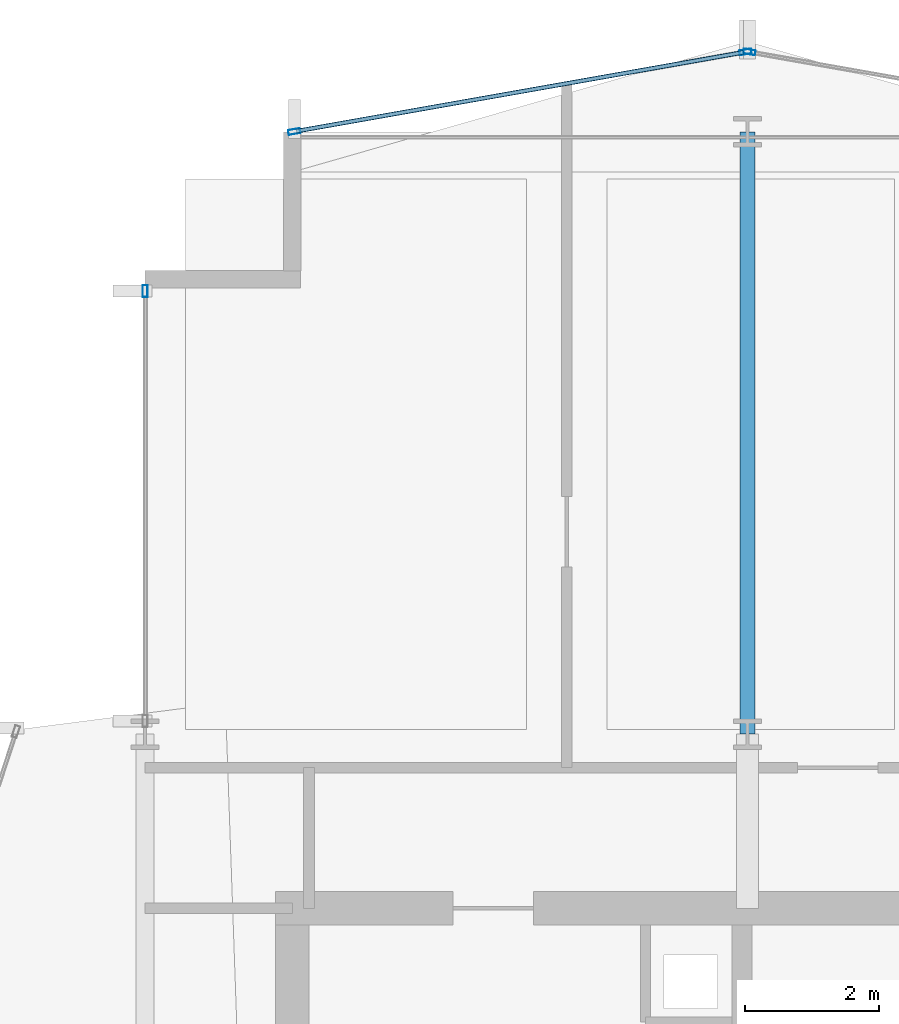
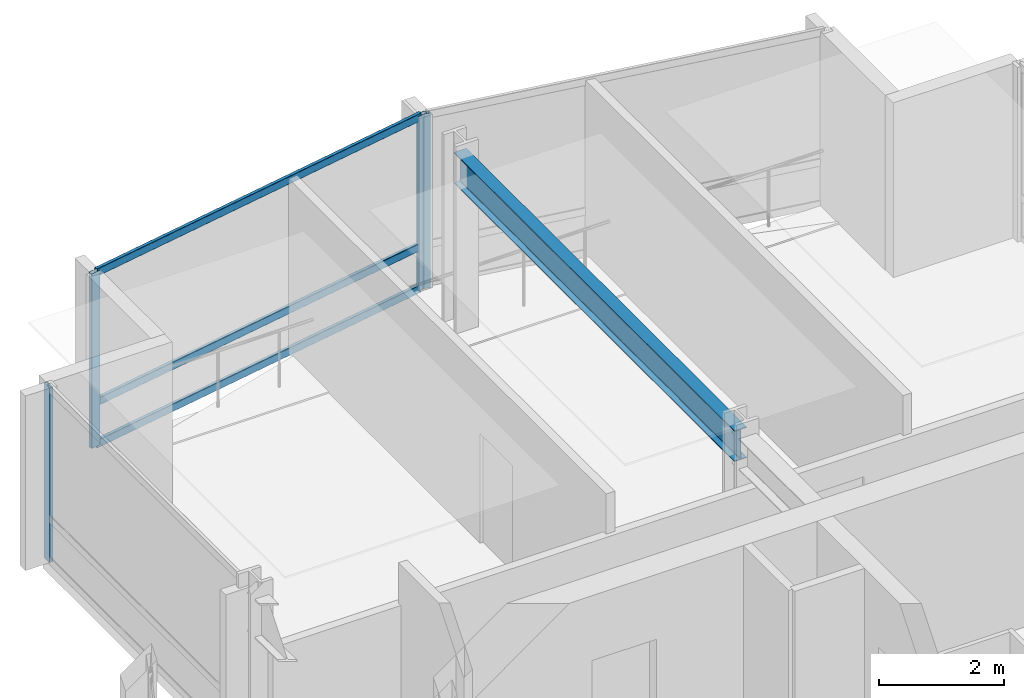
# One storey, part 19 of 28: 7 members, 1 beam, 3 elements without a shape of their own.
"""IFC4 building model written with IfcOpenShell, lengths in metres."""

from ifc_helpers import new_model, si_unit, direction, frame, origin, origin_2d, place, context, subcontext, project, spatial, hollow_rectangle, i_section, extrude, material, layer, layer_set, material_profile, profile_set, type_object, element, aggregate, save


model = new_model("IFC4")

# Units and contexts
model_context = context("Model", 3, precision=1e-05, world=origin(), true_north=direction((0.0, 1.0)))
body_context = subcontext(model_context, "Body", "Model", "MODEL_VIEW")
ifc_project = project(units=[si_unit("LENGTHUNIT", "METRE"), si_unit("AREAUNIT", "SQUARE_METRE"), si_unit("VOLUMEUNIT", "CUBIC_METRE"), si_unit("PLANEANGLEUNIT", "RADIAN"), si_unit("MASSUNIT", "GRAM", prefix="KILO")], contexts=[model_context])

# Site, building, storey
site_placement = place(None, origin())
site = spatial("IfcSite", under=ifc_project, at=site_placement, CompositionType="ELEMENT")
building_placement = place(site_placement, origin())
building = spatial("IfcBuilding", under=site, at=building_placement, Name="Solvaryn Broadcast Tower", CompositionType="ELEMENT")
storey_placement = place(building_placement, frame((0.0, 0.0, 135.89990234375)))
storey = spatial("IfcBuildingStorey", under=building, at=storey_placement, Name="L33", CompositionType="ELEMENT", Elevation=135.89990234375)

# Beam
ifc_material_1 = material(Name="Steel ASTM A992 Grade 50", Category="steel")
ifc_material_profile_1 = material_profile(ifc_material_1, i_section(OverallWidth=0.22802734375, OverallDepth=0.60791015625, WebThickness=0.01123046875, FlangeThickness=0.017333984375, FilletRadius=0.014892578125, at=origin_2d()))
ifc_profile_set_1 = profile_set([ifc_material_profile_1], Name="Steel ASTM A992 Grade 50")
beam_type = type_object("IfcBeamType", Name="BM-B2-W24X76", PredefinedType="BEAM", material=ifc_profile_set_1)
beam_placement = place(storey_placement, frame((18.0, 45.0, 3.1162109375), z_axis=(0.0, 1.0, 0.0), x_axis=(-1.0, 0.0, 0.0)))
element("IfcBeam", 1, at=beam_placement, inside=storey, type_object=beam_type, Name="L33 Primary Beam Y (45-54 @ X=18)", PredefinedType="BEAM", context=body_context, shape_type="SweptSolid", body=[
    extrude(i_section(OverallWidth=0.22802734375, OverallDepth=0.60791015625, WebThickness=0.01123046875, FlangeThickness=0.017333984375, FilletRadius=0.014892578125, at=origin_2d()), origin(), (0.0, 0.0, 1.0), 9.0),
])

# Curtain wall, member
ifc_material_2 = material(Name="Aluminium and Terracotta Unitised Curtain Wall", Category="masonry")
ifc_layer = layer(ifc_material_2, 0.199951171875)
ifc_layer_set = layer_set([ifc_layer], Name="CW-SYS2-LOWMID")
curtain_wall_type = type_object("IfcCurtainWallType", Name="CW-SYS2-LOWMID", PredefinedType="NOTDEFINED", material=ifc_layer_set)
curtain_wall_1_placement = place(storey_placement, origin())
curtain_wall_1 = element("IfcCurtainWall", 2, at=curtain_wall_1_placement, inside=storey, type_object=curtain_wall_type, Name="L33 Curtain Wall W2", PredefinedType="NOTDEFINED")
ifc_material_3 = material(Name="Anodised Aluminium 6063-T6", Category="aluminium")
ifc_material_profile_2 = material_profile(ifc_material_3, hollow_rectangle(XDim=0.074951171875, YDim=0.179931640625, WallThickness=0.00390625, InnerFilletRadius=0.00390625, OuterFilletRadius=0.008056640625, at=origin_2d()))
ifc_profile_set_2 = profile_set([ifc_material_profile_2], Name="Anodised Aluminium 6063-T6")
member_type_1 = type_object("IfcMemberType", Name="CW-MUL-180", PredefinedType="MULLION", material=ifc_profile_set_2)
member_1_placement = place(storey_placement, frame((9.0, 51.6201171875, 0.0), z_axis=(0.0, 0.0, 1.0), x_axis=(-1.0, 0.0, 0.0)))
member_1 = element("IfcMember", 3, at=member_1_placement, type_object=member_type_1, Name="CWS2 mullion 2", PredefinedType="MULLION", context=body_context, shape_type="SweptSolid", body=[
    extrude(hollow_rectangle(XDim=0.074951171875, YDim=0.179931640625, WallThickness=0.00390625, InnerFilletRadius=0.00390625, OuterFilletRadius=0.008056640625, at=origin_2d()), origin(), (0.0, 0.0, 1.0), 3.420166015625),
])
aggregate(curtain_wall_1, [member_1])

curtain_wall_2_placement = place(storey_placement, origin())
curtain_wall_2 = element("IfcCurtainWall", 4, at=curtain_wall_2_placement, inside=storey, type_object=curtain_wall_type, Name="L33 Curtain Wall NT1", PredefinedType="NOTDEFINED")
member_2_placement = place(storey_placement, frame((18.029541015625, 55.19482421875, 0.0), z_axis=(0.0, 0.0, 1.0), x_axis=(-0.173785333901, -0.984783558819, 0.0)))
member_2 = element("IfcMember", 5, at=member_2_placement, type_object=member_type_1, Name="CWS2 mullion 2", PredefinedType="MULLION", context=body_context, shape_type="SweptSolid", body=[
    extrude(hollow_rectangle(XDim=0.074951171875, YDim=0.179931640625, WallThickness=0.00390625, InnerFilletRadius=0.00390625, OuterFilletRadius=0.008056640625, at=origin_2d()), origin(), (0.0, 0.0, 1.0), 3.420166015625),
])
aggregate(curtain_wall_2, [member_2])

# Curtain wall, members
curtain_wall_3_placement = place(storey_placement, origin())
curtain_wall_3 = element("IfcCurtainWall", 6, at=curtain_wall_3_placement, inside=storey, type_object=curtain_wall_type, Name="L33 Curtain Wall NT2", PredefinedType="NOTDEFINED")
member_3_placement = place(storey_placement, frame((17.970458984375, 55.19482421875, 0.0), z_axis=(0.0, 0.0, 1.0), x_axis=(0.173785333901, -0.984783558819, 0.0)))
member_3 = element("IfcMember", 7, at=member_3_placement, type_object=member_type_1, Name="CWS2 mullion 1", PredefinedType="MULLION", context=body_context, shape_type="SweptSolid", body=[
    extrude(hollow_rectangle(XDim=0.074951171875, YDim=0.179931640625, WallThickness=0.00390625, InnerFilletRadius=0.00390625, OuterFilletRadius=0.008056640625, at=origin_2d()), origin(), (0.0, 0.0, 1.0), 3.420166015625),
])
member_4_placement = place(storey_placement, frame((11.2294921875, 54.005126953125, 0.0), z_axis=(0.0, 0.0, 1.0), x_axis=(0.173785333901, -0.984783558819, 0.0)))
member_4 = element("IfcMember", 8, at=member_4_placement, type_object=member_type_1, Name="CWS2 mullion 2", PredefinedType="MULLION", context=body_context, shape_type="SweptSolid", body=[
    extrude(hollow_rectangle(XDim=0.074951171875, YDim=0.179931640625, WallThickness=0.00390625, InnerFilletRadius=0.00390625, OuterFilletRadius=0.008056640625, at=origin_2d()), origin(), (0.0, 0.0, 1.0), 3.420166015625),
])
ifc_material_4 = material(Name="Anodised Aluminium 6063-T6", Category="aluminium")
ifc_material_profile_3 = material_profile(ifc_material_4, hollow_rectangle(XDim=0.06494140625, YDim=0.14990234375, WallThickness=0.00390625, InnerFilletRadius=0.00390625, OuterFilletRadius=0.008056640625, at=origin_2d()))
ifc_profile_set_3 = profile_set([ifc_material_profile_3], Name="Anodised Aluminium 6063-T6")
member_type_2 = type_object("IfcMemberType", Name="CW-TRN-150", PredefinedType="USERDEFINED", material=ifc_profile_set_3)
member_5_placement = place(storey_placement, frame((17.94091796875, 55.189453125, 0.030029296875), z_axis=(-0.984788629673, -0.173756596613, 0.0), x_axis=(0.173756596613, -0.984788629673, 0.0)))
member_5 = element("IfcMember", 9, at=member_5_placement, type_object=member_type_2, Name="CWS2 transom 1.1", ObjectType="TRANSOM", PredefinedType="USERDEFINED", context=body_context, shape_type="SweptSolid", body=[
    extrude(hollow_rectangle(XDim=0.06494140625, YDim=0.14990234375, WallThickness=0.00390625, InnerFilletRadius=0.00390625, OuterFilletRadius=0.008056640625, at=origin_2d()), origin(), (0.0, 0.0, 1.0), 6.78515625),
])
member_6_placement = place(storey_placement, frame((17.94091796875, 55.189453125, 0.85009765625), z_axis=(-0.984788629673, -0.173756596613, 0.0), x_axis=(0.173756596613, -0.984788629673, 0.0)))
member_6 = element("IfcMember", 10, at=member_6_placement, type_object=member_type_2, Name="CWS2 transom 1.2", ObjectType="TRANSOM", PredefinedType="USERDEFINED", context=body_context, shape_type="SweptSolid", body=[
    extrude(hollow_rectangle(XDim=0.06494140625, YDim=0.14990234375, WallThickness=0.00390625, InnerFilletRadius=0.00390625, OuterFilletRadius=0.008056640625, at=origin_2d()), origin(), (0.0, 0.0, 1.0), 6.78515625),
])
member_7_placement = place(storey_placement, frame((17.94091796875, 55.189453125, 3.39013671875), z_axis=(-0.984788629673, -0.173756596613, 0.0), x_axis=(0.173756596613, -0.984788629673, 0.0)))
member_7 = element("IfcMember", 11, at=member_7_placement, type_object=member_type_2, Name="CWS2 transom 1.3", ObjectType="TRANSOM", PredefinedType="USERDEFINED", context=body_context, shape_type="SweptSolid", body=[
    extrude(hollow_rectangle(XDim=0.06494140625, YDim=0.14990234375, WallThickness=0.00390625, InnerFilletRadius=0.00390625, OuterFilletRadius=0.008056640625, at=origin_2d()), origin(), (0.0, 0.0, 1.0), 6.78515625),
])
aggregate(curtain_wall_3, [member_3, member_4, member_5, member_6, member_7])

save(model, "model.ifc")
